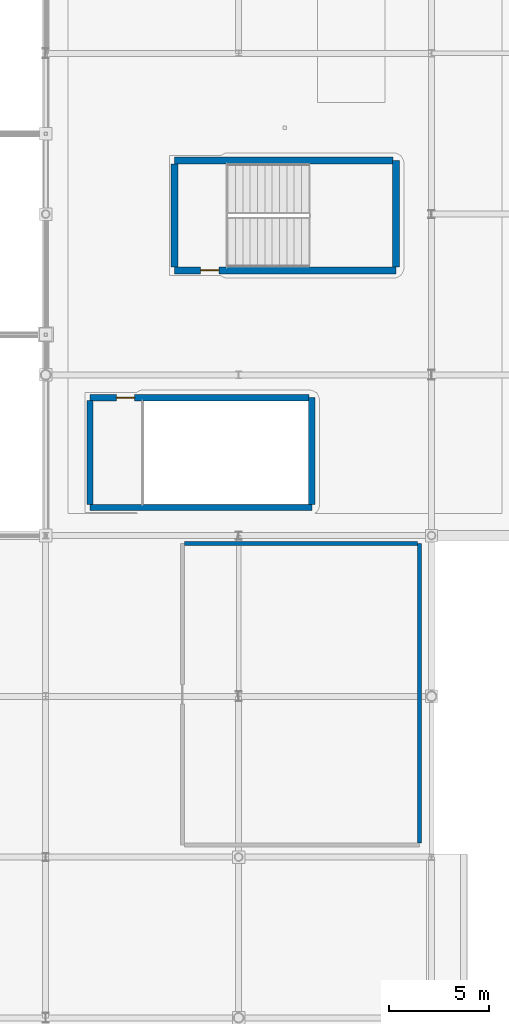
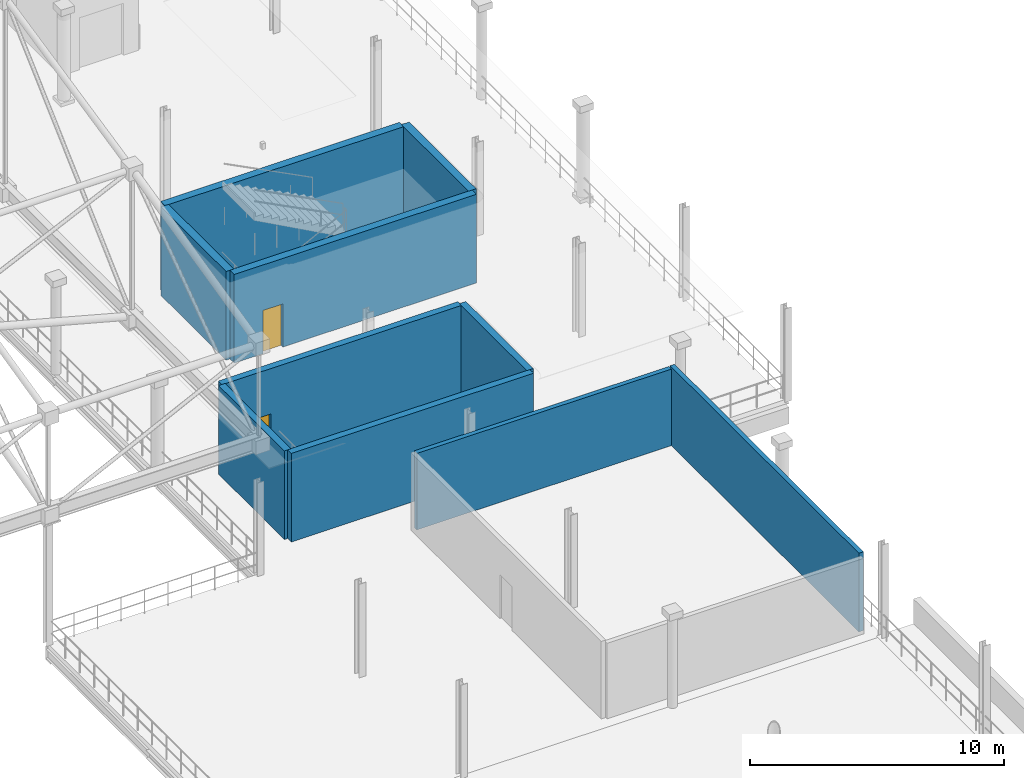
# One storey, part 156 of 193: 10 walls, 2 doors, 2 openings.
"""IFC4 building model written with IfcOpenShell, lengths in metres."""

from ifc_helpers import new_model, si_unit, direction, frame, frame_2d, origin, place, context, subcontext, project, spatial, rectangle, extrude, material, layer, layer_set, type_object, element, fill, save


model = new_model("IFC4")

# Units and contexts
model_context = context("Model", 3, precision=1e-05, world=origin(), true_north=direction((0.0, 1.0)))
body_context = subcontext(model_context, "Body", "Model", "MODEL_VIEW")
ifc_project = project(units=[si_unit("LENGTHUNIT", "METRE"), si_unit("AREAUNIT", "SQUARE_METRE"), si_unit("VOLUMEUNIT", "CUBIC_METRE"), si_unit("PLANEANGLEUNIT", "RADIAN"), si_unit("MASSUNIT", "GRAM", prefix="KILO")], contexts=[model_context])

# Site, building, storey
site_placement = place(None, origin())
site = spatial("IfcSite", under=ifc_project, at=site_placement, CompositionType="ELEMENT")
building_placement = place(site_placement, origin())
building = spatial("IfcBuilding", under=site, at=building_placement, Name="Danafjord Basin Convention Centre", CompositionType="ELEMENT")
storey_placement = place(building_placement, frame((0.0, 0.0, 11.39990234375)))
storey = spatial("IfcBuildingStorey", under=building, at=storey_placement, Name="L02", CompositionType="ELEMENT", Elevation=11.39990234375)

# Walls
ifc_material_1 = material(Name="Concrete C40/50", Category="concrete")
ifc_layer_1 = layer(ifc_material_1, 0.300048828125)
ifc_layer_set_1 = layer_set([ifc_layer_1], Name="Concrete C40/50")
wall_type_1 = type_object("IfcWallType", Name="WALL-CW-CORE300", PredefinedType="SHEAR", material=ifc_layer_set_1)
wall_1_placement = place(storey_placement, frame((194.199951171875, 41.39990234375, 0.0), z_axis=(0.0, 0.0, 1.0), x_axis=(1.0, 0.0, 0.0)))
element("IfcWall", 1, at=wall_1_placement, inside=storey, type_object=wall_type_1, Name="Ballroom South-East Escape Stair core shear wall (south)", PredefinedType="SHEAR", context=body_context, shape_type="SweptSolid", body=[
    extrude(rectangle(XDim=11.0400390625, YDim=0.300048828125, at=frame_2d((5.52001953125, 0.0))), origin(), (0.0, 0.0, 1.0), 4.26416015625),
])
wall_2_placement = place(storey_placement, frame((205.239990234375, 41.534912109375, 0.0), z_axis=(0.0, 0.0, 1.0), x_axis=(0.0, 1.0, 0.0)))
element("IfcWall", 2, at=wall_2_placement, inside=storey, type_object=wall_type_1, Name="Ballroom South-East Escape Stair core shear wall (east)", PredefinedType="SHEAR", context=body_context, shape_type="SweptSolid", body=[
    extrude(rectangle(XDim=5.3251953125, YDim=0.300048828125, at=frame_2d((2.66259765625, 0.0))), origin(), (0.0, 0.0, 1.0), 4.26416015625),
])

# Wall, opening, door
wall_3_placement = place(storey_placement, frame((205.10498046875, 46.860107421875, 0.0), z_axis=(0.0, 0.0, 1.0), x_axis=(-1.0, 0.0, 0.0)))
wall_3 = element("IfcWall", 3, at=wall_3_placement, inside=storey, type_object=wall_type_1, Name="Ballroom South-East Escape Stair core shear wall (north)", PredefinedType="SHEAR", context=body_context, shape_type="SweptSolid", body=[
    extrude(rectangle(XDim=10.905029296875, YDim=0.300048828125, at=frame_2d((5.45263671875, 0.0))), origin(), (0.0, 0.0, 1.0), 4.26416015625),
])
opening_1_placement = place(wall_3_placement, frame((8.68408203125, 0.0, 0.0)))
opening_1 = element("IfcOpeningElement", 4, at=opening_1_placement, cuts=wall_3, Name="Opening FD-S01", PredefinedType="OPENING", context=body_context, shape_type="SweptSolid", body=[
    extrude(rectangle(XDim=0.909912109375, YDim=2.080078125, at=frame_2d((0.455078125, 1.0400390625))), frame((0.0, 0.159912109375, 0.0), z_axis=(0.0, -1.0, 0.0), x_axis=(1.0, 0.0, 0.0)), (0.0, 0.0, 1.0), 0.320068359375),
])
ifc_material_2 = material(Name="Powder-coated steel and Nordic oak", Category="steel")
door_type = type_object("IfcDoorType", Name="DOOR-FD-S01", OperationType="NOTDEFINED", PredefinedType="DOOR", material=ifc_material_2)
door_1_placement = place(opening_1_placement, origin())
door_1 = element("IfcDoor", 5, at=door_1_placement, inside=storey, type_object=door_type, Name="Ballroom South-East Escape Stair L02 Fire Exit Door", OperationType="SINGLE_SWING_LEFT", OverallHeight=2.080078125, OverallWidth=0.909912109375, PredefinedType="DOOR", context=body_context, shape_type="SweptSolid", body=[
    extrude(rectangle(XDim=0.909912109375, YDim=2.080078125, at=frame_2d((0.455078125, 1.0400390625))), frame((0.0, 0.02490234375, 0.0), z_axis=(0.0, -1.0, 0.0), x_axis=(1.0, 0.0, 0.0)), (0.0, 0.0, 1.0), 0.050048828125),
])
fill(opening_1, door_1)

# Wall
wall_4_placement = place(storey_placement, frame((194.199951171875, 46.72509765625, 0.0), z_axis=(0.0, 0.0, 1.0), x_axis=(0.0, -1.0, 0.0)))
element("IfcWall", 6, at=wall_4_placement, inside=storey, type_object=wall_type_1, Name="Ballroom South-East Escape Stair core shear wall (west)", PredefinedType="SHEAR", context=body_context, shape_type="SweptSolid", body=[
    extrude(rectangle(XDim=5.190185546875, YDim=0.300048828125, at=frame_2d((2.59521484375, 0.0))), origin(), (0.0, 0.0, 1.0), 4.26416015625),
])

# Wall, opening, door
ifc_material_3 = material(Name="Concrete C45/55", Category="concrete")
ifc_layer_2 = layer(ifc_material_3, 0.35009765625)
ifc_layer_set_2 = layer_set([ifc_layer_2], Name="Concrete C45/55")
wall_type_2 = type_object("IfcWallType", Name="WALL-CW-CORE350", PredefinedType="SHEAR", material=ifc_layer_set_2)
wall_5_placement = place(storey_placement, frame((198.39990234375, 53.199951171875, 0.0), z_axis=(0.0, 0.0, 1.0), x_axis=(1.0, 0.0, 0.0)))
wall_5 = element("IfcWall", 7, at=wall_5_placement, inside=storey, type_object=wall_type_2, Name="Ballroom East Core Stair 1 core shear wall (south)", PredefinedType="SHEAR", context=body_context, shape_type="SweptSolid", body=[
    extrude(rectangle(XDim=11.0400390625, YDim=0.35009765625, at=frame_2d((5.52001953125, 0.0))), origin(), (0.0, 0.0, 1.0), 4.27001953125),
])
opening_2_placement = place(wall_5_placement, frame((1.31201171875, 0.0, 0.0)))
opening_2 = element("IfcOpeningElement", 8, at=opening_2_placement, cuts=wall_5, Name="Opening FD-S01", PredefinedType="OPENING", context=body_context, shape_type="SweptSolid", body=[
    extrude(rectangle(XDim=0.909912109375, YDim=2.080078125, at=frame_2d((0.455078125, 1.0400390625))), frame((0.0, 0.18505859375, 0.0), z_axis=(0.0, -1.0, 0.0), x_axis=(1.0, 0.0, 0.0)), (0.0, 0.0, 1.0), 0.3701171875),
])
door_2_placement = place(opening_2_placement, origin())
door_2 = element("IfcDoor", 9, at=door_2_placement, inside=storey, type_object=door_type, Name="Ballroom East Core Stair 1 L02 Fire Exit Door", OperationType="SINGLE_SWING_LEFT", OverallHeight=2.080078125, OverallWidth=0.909912109375, PredefinedType="DOOR", context=body_context, shape_type="SweptSolid", body=[
    extrude(rectangle(XDim=0.909912109375, YDim=2.080078125, at=frame_2d((0.455078125, 1.0400390625))), frame((0.0, 0.02490234375, 0.0), z_axis=(0.0, -1.0, 0.0), x_axis=(1.0, 0.0, 0.0)), (0.0, 0.0, 1.0), 0.050048828125),
])
fill(opening_2, door_2)

# Walls
wall_6_placement = place(storey_placement, frame((209.43994140625, 53.360107421875, 0.0), z_axis=(0.0, 0.0, 1.0), x_axis=(0.0, 1.0, 0.0)))
element("IfcWall", 10, at=wall_6_placement, inside=storey, type_object=wall_type_2, Name="Ballroom East Core Stair 1 core shear wall (east)", PredefinedType="SHEAR", context=body_context, shape_type="SweptSolid", body=[
    extrude(rectangle(XDim=5.2998046875, YDim=0.35009765625, at=frame_2d((2.64990234375, 0.0))), origin(), (0.0, 0.0, 1.0), 4.27001953125),
])
wall_7_placement = place(storey_placement, frame((209.280029296875, 58.659912109375, 0.0), z_axis=(0.0, 0.0, 1.0), x_axis=(-1.0, 0.0, 0.0)))
element("IfcWall", 11, at=wall_7_placement, inside=storey, type_object=wall_type_2, Name="Ballroom East Core Stair 1 core shear wall (north)", PredefinedType="SHEAR", context=body_context, shape_type="SweptSolid", body=[
    extrude(rectangle(XDim=10.880126953125, YDim=0.35009765625, at=frame_2d((5.43994140625, 0.0))), origin(), (0.0, 0.0, 1.0), 4.27001953125),
])
wall_8_placement = place(storey_placement, frame((198.39990234375, 58.5, 0.0), z_axis=(0.0, 0.0, 1.0), x_axis=(0.0, -1.0, 0.0)))
element("IfcWall", 12, at=wall_8_placement, inside=storey, type_object=wall_type_2, Name="Ballroom East Core Stair 1 core shear wall (west)", PredefinedType="SHEAR", context=body_context, shape_type="SweptSolid", body=[
    extrude(rectangle(XDim=5.139892578125, YDim=0.35009765625, at=frame_2d((2.56982421875, 0.0))), origin(), (0.0, 0.0, 1.0), 4.27001953125),
])
ifc_material_4 = material(Name="Concrete C35/45", Category="concrete")
ifc_layer_3 = layer(ifc_material_4, 0.205078125)
ifc_layer_set_3 = layer_set([ifc_layer_3], Name="Concrete C35/45")
wall_type_3 = type_object("IfcWallType", Name="WALL-W-COMP205", PredefinedType="SOLIDWALL", material=ifc_layer_set_3)
wall_9_placement = place(storey_placement, frame((210.60009765625, 24.70654296875, 0.0), z_axis=(0.0, 0.0, 1.0), x_axis=(0.0, 1.0, 0.0)))
element("IfcWall", 13, at=wall_9_placement, inside=storey, type_object=wall_type_3, Name="Delegate Dining Kitchen east partition", PredefinedType="SOLIDWALL", context=body_context, shape_type="SweptSolid", body=[
    extrude(rectangle(XDim=14.8935546875, YDim=0.205078125, at=frame_2d((7.44677734375, 0.0))), origin(), (0.0, 0.0, 1.0), 3.7841796875),
])
wall_10_placement = place(storey_placement, frame((210.493408203125, 39.60009765625, 0.0), z_axis=(0.0, 0.0, 1.0), x_axis=(-1.0, 0.0, 0.0)))
element("IfcWall", 14, at=wall_10_placement, inside=storey, type_object=wall_type_3, Name="Delegate Dining Kitchen north partition", PredefinedType="SOLIDWALL", context=body_context, shape_type="SweptSolid", body=[
    extrude(rectangle(XDim=11.5869140625, YDim=0.205078125, at=frame_2d((5.79345703125, 0.0))), origin(), (0.0, 0.0, 1.0), 3.68408203125),
])

save(model, "model.ifc")
